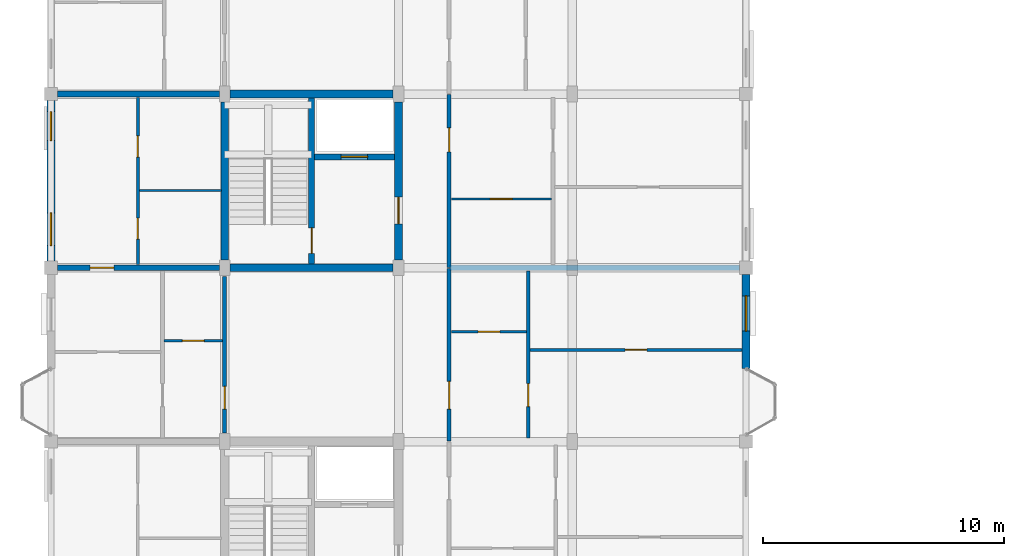
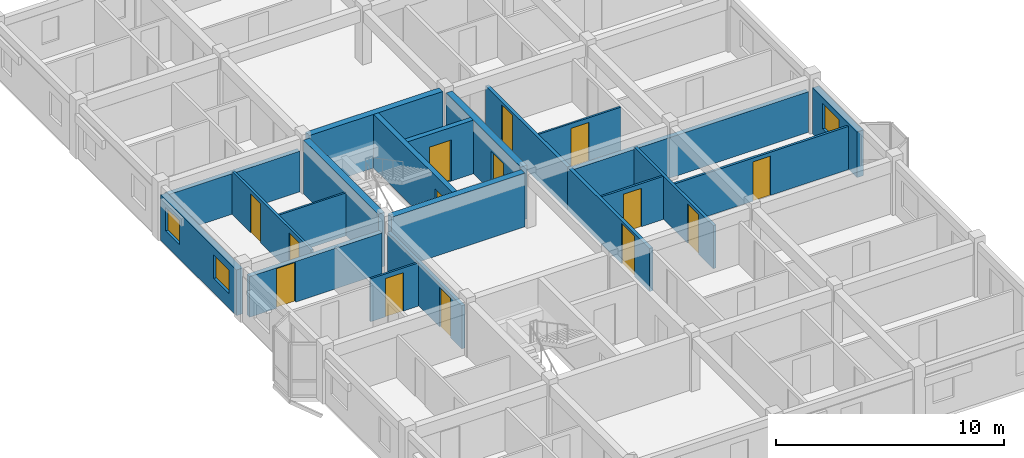
# One storey, part 52 of 77: 21 walls, 14 doors, 3 windows, 17 openings.
"""IFC4 building model written with IfcOpenShell, lengths in metres."""

import ifcopenshell
import ifcopenshell.guid

model = None  # the IFC model being written
_history = None  # IfcOwnerHistory: only IFC2X3 demands one
_inside = {}  # id of a spatial element -> (the spatial element, [elements in it])
_under = {}  # id of a project, library or spatial element -> (it, [spatial elements below it])
_declared = {}  # id of a project -> (the project, [libraries it declares])
_typed = {}  # id of a type object -> (the type object, [elements of that type])
_made_of = {}  # id of a material, layer set ... -> (it, [elements and type objects made of it])


def new_model(schema):
    """Start an empty IFC model of exactly this schema.

    Asked for "IFC4X3", IfcOpenShell would pick the latest addendum, in which some entities
    have other attributes; the version numbers below select the first issue.
    IFC2X3 requires an IfcOwnerHistory on every rooted entity: one is made here for all.
    """
    global model, _history
    if schema == "IFC4X3":
        model = ifcopenshell.file(schema_version=(4, 3, 0, 0))
    else:
        model = ifcopenshell.file(schema=schema)
    _inside.clear()
    _under.clear()
    _declared.clear()
    _typed.clear()
    _made_of.clear()
    _history = None
    if model.schema == "IFC2X3":
        org = make("IfcOrganization", Name="unknown")
        user = make(
            "IfcPersonAndOrganization",
            ThePerson=make("IfcPerson", FamilyName="unknown"),
            TheOrganization=org,
        )
        app = make(
            "IfcApplication",
            ApplicationDeveloper=org,
            Version="unknown",
            ApplicationFullName="unknown",
            ApplicationIdentifier="unknown",
        )
        _history = make(
            "IfcOwnerHistory",
            OwningUser=user,
            OwningApplication=app,
            ChangeAction="ADDED",
            CreationDate=0,
        )
    return model


def make(cls, **values):
    """One entity of the class cls with the attributes given. An attribute that is None is left unset."""
    return model.create_entity(
        cls, **{name: value for name, value in values.items() if value is not None}
    )


def rooted(cls, **values):
    """An entity with a GlobalId (a new one), such as an element, a storey or a relation."""
    return make(cls, GlobalId=ifcopenshell.guid.new(), OwnerHistory=_history, **values)


def si_unit(unit_type, name, prefix=None):
    """IfcSIUnit, for example si_unit("LENGTHUNIT", "METRE", prefix="MILLI")."""
    return make("IfcSIUnit", UnitType=unit_type, Prefix=prefix, Name=name)


def assignment(units):
    """IfcUnitAssignment: the units of a project."""
    return None if units is None else make("IfcUnitAssignment", Units=units)


def point(xyz):
    """IfcCartesianPoint."""
    return None if xyz is None else make("IfcCartesianPoint", Coordinates=xyz)


def direction(xyz):
    """IfcDirection."""
    return None if xyz is None else make("IfcDirection", DirectionRatios=xyz)


def frame(location, z_axis=None, x_axis=None):
    """IfcAxis2Placement3D, a coordinate frame: its origin and axes. An axis left out is left unset."""
    return make(
        "IfcAxis2Placement3D",
        Location=point(location),
        Axis=direction(z_axis),
        RefDirection=direction(x_axis),
    )


def frame_2d(location, x_axis=None):
    """IfcAxis2Placement2D, a coordinate frame in the plane: its origin and x axis."""
    return make(
        "IfcAxis2Placement2D", Location=point(location), RefDirection=direction(x_axis)
    )


def origin():
    """The frame at (0, 0, 0) with its axes left unset."""
    return frame((0.0, 0.0, 0.0))


def place(relative_to, where):
    """IfcLocalPlacement: puts the frame where relative to a parent placement (None: the world)."""
    return make(
        "IfcLocalPlacement", PlacementRelTo=relative_to, RelativePlacement=where
    )


def context(
    kind, dimensions, precision=None, world=None, true_north=None, identifier=None
):
    """IfcGeometricRepresentationContext, for example the 3D "Model" context."""
    return make(
        "IfcGeometricRepresentationContext",
        ContextIdentifier=identifier,
        ContextType=kind,
        CoordinateSpaceDimension=dimensions,
        Precision=precision,
        WorldCoordinateSystem=world,
        TrueNorth=true_north,
    )


def subcontext(parent, identifier, kind, view, scale=None):
    """IfcGeometricRepresentationSubContext, for example "Body" below "Model"."""
    return make(
        "IfcGeometricRepresentationSubContext",
        ContextIdentifier=identifier,
        ContextType=kind,
        ParentContext=parent,
        TargetScale=scale,
        TargetView=view,
    )


def project(units=None, contexts=None):
    """IfcProject with its units and contexts."""
    return rooted(
        "IfcProject",
        Name="project",
        RepresentationContexts=contexts,
        UnitsInContext=assignment(units),
    )


def spatial(cls, under=None, at=None, **own):
    """A site, building, storey or space (cls), placed at a placement, below another one or the project."""
    s = rooted(cls, ObjectPlacement=at, **own)
    if under is not None:
        _under.setdefault(under.id(), (under, []))[1].append(s)
    return s


def profile(cls, at=None, kind="AREA", **sizes):
    """A parametric profile (cls). Its sizes go by their IFC names, for example OverallWidth=200.0."""
    return make(cls, ProfileType=kind, Position=at, **sizes)


def rectangle(**sizes):
    """IfcRectangleProfileDef."""
    return profile("IfcRectangleProfileDef", **sizes)


def extrude(swept, where, along, depth):
    """IfcExtrudedAreaSolid: the profile swept, set in the frame where, extruded along a direction by depth."""
    return make(
        "IfcExtrudedAreaSolid",
        SweptArea=swept,
        Position=where,
        ExtrudedDirection=direction(along),
        Depth=depth,
    )


def shape(context_of_items, identifier, shape_type, items):
    """IfcShapeRepresentation: the items that make up one representation, for example the "Body"."""
    return make(
        "IfcShapeRepresentation",
        ContextOfItems=context_of_items,
        RepresentationIdentifier=identifier,
        RepresentationType=shape_type,
        Items=items,
    )


def material(Name=None, Category=None):
    """IfcMaterial."""
    return make("IfcMaterial", Name=Name, Category=Category)


def layer(
    of_material, thickness, ventilated=None, Name=None, Category=None, Priority=None
):
    """IfcMaterialLayer: one layer of a wall or slab, of a material (None: an air gap)."""
    return make(
        "IfcMaterialLayer",
        Material=of_material,
        LayerThickness=thickness,
        IsVentilated=ventilated,
        Name=Name,
        Category=Category,
        Priority=Priority,
    )


def layer_set(layers, Name=None):
    """IfcMaterialLayerSet."""
    return make("IfcMaterialLayerSet", MaterialLayers=layers, LayerSetName=Name)


def made_of(thing, what):
    """Note that an element or type object is made of a material, layer set ...; save() writes the relation."""
    if what is not None:
        _made_of.setdefault(what.id(), (what, []))[1].append(thing)
    return thing


def type_object(cls, material=None, **own):
    """A type object (cls), such as IfcWallType, which elements share."""
    return made_of(rooted(cls, **own), material)


def element(
    cls,
    number,
    at=None,
    inside=None,
    cuts=None,
    type_object=None,
    material=None,
    context=None,
    identifier="Body",
    shape_type=None,
    held_by="IfcProductDefinitionShape",
    body=None,
    shapes=None,
    **own,
):
    """One element of the class cls, such as IfcWall. Its Tag is "e" and its number.

    at: its placement. inside: the storey or other place that contains it. cuts: it is an
    opening in that element (IfcRelVoidsElement). A single representation is given by context,
    identifier, shape_type and body (its items); several are given by shapes. held_by: the class
    of the entity that holds the representations. save() writes the other relations.
    """
    e = rooted(cls, Tag="e%d" % number, ObjectPlacement=at, **own)
    if body is not None:
        shapes = [shape(context, identifier, shape_type, body)]
    if shapes is not None:
        e.Representation = make(held_by, Representations=shapes)
    if inside is not None:
        _inside.setdefault(inside.id(), (inside, []))[1].append(e)
    if cuts is not None:
        rooted(
            "IfcRelVoidsElement", RelatingBuildingElement=cuts, RelatedOpeningElement=e
        )
    if type_object is not None:
        _typed.setdefault(type_object.id(), (type_object, []))[1].append(e)
    return made_of(e, material)


def fill(opening, filler):
    """IfcRelFillsElement: the door or window that sits in an opening."""
    return rooted(
        "IfcRelFillsElement",
        RelatingOpeningElement=opening,
        RelatedBuildingElement=filler,
    )


def aggregate(whole, parts):
    """IfcRelAggregates: a whole, such as a stair, and the parts it consists of."""
    return rooted("IfcRelAggregates", RelatingObject=whole, RelatedObjects=parts)


def save(model, path):
    """Write the relations noted so far, then the file.

    IfcRelAggregates (storeys below a building ...), IfcRelContainedInSpatialStructure (elements
    in a storey), IfcRelDefinesByType, IfcRelAssociatesMaterial and IfcRelDeclares: one each for
    every whole, place, type object, material and project.
    """
    for whole, parts in _under.values():
        aggregate(whole, parts)
    for where, things in _inside.values():
        rooted(
            "IfcRelContainedInSpatialStructure",
            RelatedElements=things,
            RelatingStructure=where,
        )
    for kind, things in _typed.values():
        rooted("IfcRelDefinesByType", RelatedObjects=things, RelatingType=kind)
    for what, things in _made_of.values():
        rooted("IfcRelAssociatesMaterial", RelatedObjects=things, RelatingMaterial=what)
    for by, libraries in _declared.values():
        rooted("IfcRelDeclares", RelatingContext=by, RelatedDefinitions=libraries)
    model.write(path)


model = new_model("IFC4")

# Units and contexts
model_context = context("Model", 3, precision=1e-05, world=origin(), true_north=direction((0.0, 1.0)))
body_context = subcontext(model_context, "Body", "Model", "MODEL_VIEW")
ifc_project = project(units=[si_unit("LENGTHUNIT", "METRE"), si_unit("AREAUNIT", "SQUARE_METRE"), si_unit("VOLUMEUNIT", "CUBIC_METRE"), si_unit("PLANEANGLEUNIT", "RADIAN"), si_unit("MASSUNIT", "GRAM", prefix="KILO"), si_unit("THERMODYNAMICTEMPERATUREUNIT", "KELVIN"), si_unit("POWERUNIT", "WATT")], contexts=[model_context])

# Site, building, storey
site_placement = place(None, origin())
site = spatial("IfcSite", under=ifc_project, at=site_placement, CompositionType="ELEMENT")
building_placement = place(site_placement, origin())
building = spatial("IfcBuilding", under=site, at=building_placement, Name="Tavuni Mirador Residences", CompositionType="ELEMENT")
storey_placement = place(building_placement, frame((0.0, 0.0, 17.10009765625)))
storey = spatial("IfcBuildingStorey", under=building, at=storey_placement, Name="L05", CompositionType="ELEMENT", Elevation=17.10009765625)

# Wall, opening, door
ifc_material_1 = material(Name="Precast concrete C40/50", Category="concrete")
ifc_layer_1 = layer(ifc_material_1, 0.25, Name="Precast concrete C40/50", Category="concrete")
ifc_layer_set_1 = layer_set([ifc_layer_1], Name="Precast concrete C40/50")
wall_type_1 = type_object("IfcWallType", Name="WT-COR250", PredefinedType="SHEAR", material=ifc_layer_set_1)
wall_1_placement = place(storey_placement, frame((14.39990234375, 28.9599609375, 0.0), z_axis=(0.0, 0.0, 1.0), x_axis=(0.0, 1.0, 0.0)))
wall_1 = element("IfcWall", 1, at=wall_1_placement, inside=storey, type_object=wall_type_1, Name="CWALL-C2-L05-MID", PredefinedType="SHEAR", context=body_context, shape_type="SweptSolid", body=[
    extrude(rectangle(XDim=6.880126953125, YDim=0.25, at=frame_2d((3.43994140625, 0.0))), origin(), (0.0, 0.0, 1.0), 2.869873046875),
])
opening_1_placement = place(wall_1_placement, frame((0.43994140625, 0.0, 0.0)))
opening_1 = element("IfcOpeningElement", 2, at=opening_1_placement, cuts=wall_1, Name="Opening D-01", PredefinedType="OPENING", context=body_context, shape_type="SweptSolid", body=[
    extrude(rectangle(XDim=1.050048828125, YDim=2.14990234375, at=frame_2d((0.52490234375, 1.074951171875))), frame((0.0, 0.135009765625, 0.0), z_axis=(0.0, -1.0, 0.0), x_axis=(1.0, 0.0, 0.0)), (0.0, 0.0, 1.0), 0.27001953125),
])
ifc_material_2 = material(Name="Solid core iroko timber", Category="wood")
door_type_1 = type_object("IfcDoorType", Name="DT-ST1050", OperationType="NOTDEFINED", PredefinedType="DOOR", material=ifc_material_2)
door_1_placement = place(opening_1_placement, origin())
door_1 = element("IfcDoor", 3, at=door_1_placement, inside=storey, type_object=door_type_1, Name="DR-2075", OperationType="SINGLE_SWING_LEFT", OverallHeight=2.14990234375, OverallWidth=1.050048828125, PredefinedType="DOOR", context=body_context, shape_type="SweptSolid", body=[
    extrude(rectangle(XDim=1.050048828125, YDim=2.14990234375, at=frame_2d((0.52490234375, 1.074951171875))), frame((0.0, 0.02490234375, 0.0), z_axis=(0.0, -1.0, 0.0), x_axis=(1.0, 0.0, 0.0)), (0.0, 0.0, 1.0), 0.050048828125),
])
fill(opening_1, door_1)

wall_2_placement = place(storey_placement, frame((14.52490234375, 33.39990234375, 0.0), z_axis=(0.0, 0.0, 1.0), x_axis=(1.0, 0.0, 0.0)))
wall_2 = element("IfcWall", 4, at=wall_2_placement, inside=storey, type_object=wall_type_1, Name="CWALL-C2-L05-SHF", PredefinedType="SHEAR", context=body_context, shape_type="SweptSolid", body=[
    extrude(rectangle(XDim=3.315185546875, YDim=0.25, at=frame_2d((1.65771484375, 0.0))), origin(), (0.0, 0.0, 1.0), 2.869873046875),
])
opening_2_placement = place(wall_2_placement, frame((1.10009765625, 0.0, 0.0)))
opening_2 = element("IfcOpeningElement", 5, at=opening_2_placement, cuts=wall_2, Name="Opening LD-01", PredefinedType="OPENING", context=body_context, shape_type="SweptSolid", body=[
    extrude(rectangle(XDim=1.10009765625, YDim=2.199951171875, at=frame_2d((0.550048828125, 1.10009765625))), frame((0.0, 0.135009765625, 0.0), z_axis=(0.0, -1.0, 0.0), x_axis=(1.0, 0.0, 0.0)), (0.0, 0.0, 1.0), 0.27001953125),
])
ifc_material_3 = material(Name="Structural steel S355", Category="steel")
door_type_2 = type_object("IfcDoorType", Name="DT-LD-FF", OperationType="SLIDING_TO_LEFT", PredefinedType="DOOR", material=ifc_material_3)
door_2_placement = place(opening_2_placement, origin())
door_2 = element("IfcDoor", 6, at=door_2_placement, inside=storey, type_object=door_type_2, Name="Lift landing door FL-A2 L05", OperationType="SLIDING_TO_LEFT", OverallHeight=2.199951171875, OverallWidth=1.10009765625, PredefinedType="DOOR", context=body_context, shape_type="SweptSolid", body=[
    extrude(rectangle(XDim=1.10009765625, YDim=2.199951171875, at=frame_2d((0.550048828125, 1.10009765625))), frame((0.0, 0.02490234375, 0.0), z_axis=(0.0, -1.0, 0.0), x_axis=(1.0, 0.0, 0.0)), (0.0, 0.0, 1.0), 0.050048828125),
])
fill(opening_2, door_2)

# Walls
ifc_layer_2 = layer(ifc_material_1, 0.320068359375, Name="Precast concrete C40/50", Category="concrete")
ifc_layer_set_2 = layer_set([ifc_layer_2], Name="Precast concrete C40/50")
wall_type_2 = type_object("IfcWallType", Name="WT-COR320", PredefinedType="SHEAR", material=ifc_layer_set_2)
wall_3_placement = place(storey_placement, frame((10.800048828125, 29.125, 0.0), z_axis=(0.0, 0.0, 1.0), x_axis=(0.0, 1.0, 0.0)))
element("IfcWall", 7, at=wall_3_placement, inside=storey, type_object=wall_type_2, Name="CWALL-C2-L05-W", PredefinedType="SHEAR", context=body_context, shape_type="SweptSolid", body=[
    extrude(rectangle(XDim=6.550048828125, YDim=0.320068359375, at=frame_2d((3.27490234375, 0.0))), origin(), (0.0, 0.0, 1.0), 2.869873046875),
])
wall_4_placement = place(storey_placement, frame((11.02490234375, 36.0, 0.0), z_axis=(0.0, 0.0, 1.0), x_axis=(1.0, 0.0, 0.0)))
element("IfcWall", 8, at=wall_4_placement, inside=storey, type_object=wall_type_2, Name="CWALL-C2-L05-N", PredefinedType="SHEAR", context=body_context, shape_type="SweptSolid", body=[
    extrude(rectangle(XDim=6.75, YDim=0.320068359375, at=frame_2d((3.375, 0.0))), origin(), (0.0, 0.0, 1.0), 2.869873046875),
])

# Wall, opening, door
wall_5_placement = place(storey_placement, frame((18.0, 29.125, 0.0), z_axis=(0.0, 0.0, 1.0), x_axis=(0.0, 1.0, 0.0)))
wall_5 = element("IfcWall", 9, at=wall_5_placement, inside=storey, type_object=wall_type_2, Name="CWALL-C2-L05-E", PredefinedType="SHEAR", context=body_context, shape_type="SweptSolid", body=[
    extrude(rectangle(XDim=6.550048828125, YDim=0.320068359375, at=frame_2d((3.27490234375, 0.0))), origin(), (0.0, 0.0, 1.0), 2.869873046875),
])
opening_3_placement = place(wall_5_placement, frame((1.5, 0.0, 0.0)))
opening_3 = element("IfcOpeningElement", 10, at=opening_3_placement, cuts=wall_5, Name="Opening D-02", PredefinedType="OPENING", context=body_context, shape_type="SweptSolid", body=[
    extrude(rectangle(XDim=1.10009765625, YDim=2.14990234375, at=frame_2d((0.550048828125, 1.074951171875))), frame((0.0, 0.169921875, 0.0), z_axis=(0.0, -1.0, 0.0), x_axis=(1.0, 0.0, 0.0)), (0.0, 0.0, 1.0), 0.340087890625),
])
door_type_3 = type_object("IfcDoorType", Name="DT-LOB1100", OperationType="NOTDEFINED", PredefinedType="DOOR", material=ifc_material_2)
door_3_placement = place(opening_3_placement, frame((1.10009765625, 0.0, 0.0), z_axis=(0.0, 0.0, 1.0), x_axis=(-1.0, 0.0, 0.0)))
door_3 = element("IfcDoor", 11, at=door_3_placement, inside=storey, type_object=door_type_3, Name="DR-2074", OperationType="SINGLE_SWING_LEFT", OverallHeight=2.14990234375, OverallWidth=1.10009765625, PredefinedType="DOOR", context=body_context, shape_type="SweptSolid", body=[
    extrude(rectangle(XDim=1.10009765625, YDim=2.14990234375, at=frame_2d((0.550048828125, 1.074951171875))), frame((0.0, 0.02490234375, 0.0), z_axis=(0.0, -1.0, 0.0), x_axis=(1.0, 0.0, 0.0)), (0.0, 0.0, 1.0), 0.050048828125),
])
fill(opening_3, door_3)

# Wall
wall_6_placement = place(storey_placement, frame((11.02490234375, 28.800048828125, 0.0), z_axis=(0.0, 0.0, 1.0), x_axis=(1.0, 0.0, 0.0)))
element("IfcWall", 12, at=wall_6_placement, inside=storey, type_object=wall_type_2, Name="CWALL-C2-L05-SS", PredefinedType="SHEAR", context=body_context, shape_type="SweptSolid", body=[
    extrude(rectangle(XDim=6.75, YDim=0.320068359375, at=frame_2d((3.375, 0.0))), origin(), (0.0, 0.0, 1.0), 2.869873046875),
])

# Wall, opening, door
ifc_layer_3 = layer(ifc_material_1, 0.1650390625, Name="Precast concrete C40/50", Category="concrete")
ifc_layer_set_3 = layer_set([ifc_layer_3], Name="Precast concrete C40/50")
wall_type_3 = type_object("IfcWallType", Name="WT-CORR165", PredefinedType="PARTITIONING", material=ifc_layer_set_3)
wall_7_placement = place(storey_placement, frame((20.10009765625, 21.6201171875, 0.0), z_axis=(0.0, 0.0, 1.0), x_axis=(0.0, 1.0, 0.0)))
wall_7 = element("IfcWall", 13, at=wall_7_placement, inside=storey, type_object=wall_type_3, Name="CORW-BLK-A-L05-0-02", PredefinedType="PARTITIONING", context=body_context, shape_type="SweptSolid", body=[
    extrude(rectangle(XDim=7.159912109375, YDim=0.1650390625, at=frame_2d((3.580078125, 0.0))), origin(), (0.0, 0.0, 1.0), 2.304931640625),
])
opening_4_placement = place(wall_7_placement, frame((1.330078125, 0.0, 0.0)))
opening_4 = element("IfcOpeningElement", 14, at=opening_4_placement, cuts=wall_7, Name="Opening D-20", PredefinedType="OPENING", context=body_context, shape_type="SweptSolid", body=[
    extrude(rectangle(XDim=1.139892578125, YDim=2.179931640625, at=frame_2d((0.56982421875, 1.08984375))), frame((0.0, 0.092529296875, 0.0), z_axis=(0.0, -1.0, 0.0), x_axis=(1.0, 0.0, 0.0)), (0.0, 0.0, 1.0), 0.18505859375),
])
door_type_4 = type_object("IfcDoorType", Name="DT-FD60-1140", OperationType="NOTDEFINED", PredefinedType="DOOR", material=ifc_material_2)
door_4_placement = place(opening_4_placement, origin())
door_4 = element("IfcDoor", 15, at=door_4_placement, inside=storey, type_object=door_type_4, Name="DR-2435", OperationType="SINGLE_SWING_RIGHT", OverallHeight=2.179931640625, OverallWidth=1.139892578125, PredefinedType="DOOR", context=body_context, shape_type="SweptSolid", body=[
    extrude(rectangle(XDim=1.139892578125, YDim=2.179931640625, at=frame_2d((0.56982421875, 1.08984375))), frame((0.0, 0.02490234375, 0.0), z_axis=(0.0, -1.0, 0.0), x_axis=(1.0, 0.0, 0.0)), (0.0, 0.0, 1.0), 0.050048828125),
])
fill(opening_4, door_4)

wall_8_placement = place(storey_placement, frame((20.10009765625, 28.820068359375, 0.0), z_axis=(0.0, 0.0, 1.0), x_axis=(0.0, 1.0, 0.0)))
wall_8 = element("IfcWall", 16, at=wall_8_placement, inside=storey, type_object=wall_type_3, Name="CORW-BLK-A-L05-0-03", PredefinedType="PARTITIONING", context=body_context, shape_type="SweptSolid", body=[
    extrude(rectangle(XDim=7.159912109375, YDim=0.1650390625, at=frame_2d((3.580078125, 0.0))), origin(), (0.0, 0.0, 1.0), 2.304931640625),
])
opening_5_placement = place(wall_8_placement, frame((4.780029296875, 0.0, 0.0)))
opening_5 = element("IfcOpeningElement", 17, at=opening_5_placement, cuts=wall_8, Name="Opening D-03", PredefinedType="OPENING", context=body_context, shape_type="SweptSolid", body=[
    extrude(rectangle(XDim=1.0, YDim=2.14990234375, at=frame_2d((0.5, 1.074951171875))), frame((0.0, 0.092529296875, 0.0), z_axis=(0.0, -1.0, 0.0), x_axis=(1.0, 0.0, 0.0)), (0.0, 0.0, 1.0), 0.18505859375),
])
door_type_5 = type_object("IfcDoorType", Name="DT-FD60-1000", OperationType="NOTDEFINED", PredefinedType="DOOR", material=ifc_material_2)
door_5_placement = place(opening_5_placement, origin())
door_5 = element("IfcDoor", 18, at=door_5_placement, inside=storey, type_object=door_type_5, Name="DR-2436", OperationType="SINGLE_SWING_LEFT", OverallHeight=2.14990234375, OverallWidth=1.0, PredefinedType="DOOR", context=body_context, shape_type="SweptSolid", body=[
    extrude(rectangle(XDim=1.0, YDim=2.14990234375, at=frame_2d((0.5, 1.074951171875))), frame((0.0, 0.02490234375, 0.0), z_axis=(0.0, -1.0, 0.0), x_axis=(1.0, 0.0, 0.0)), (0.0, 0.0, 1.0), 0.050048828125),
])
fill(opening_5, door_5)

wall_9_placement = place(storey_placement, frame((10.800048828125, 21.949951171875, 0.0), z_axis=(0.0, 0.0, 1.0), x_axis=(0.0, 1.0, 0.0)))
wall_9 = element("IfcWall", 19, at=wall_9_placement, inside=storey, type_object=wall_type_3, Name="CORW-BLK-A-L05-1-02", PredefinedType="PARTITIONING", context=body_context, shape_type="SweptSolid", body=[
    extrude(rectangle(XDim=6.5, YDim=0.1650390625, at=frame_2d((3.25, 0.0))), origin(), (0.0, 0.0, 1.0), 2.304931640625),
])
opening_6_placement = place(wall_9_placement, frame((1.0, 0.0, 0.0)))
opening_6 = element("IfcOpeningElement", 20, at=opening_6_placement, cuts=wall_9, Name="Opening D-19", PredefinedType="OPENING", context=body_context, shape_type="SweptSolid", body=[
    extrude(rectangle(XDim=0.93994140625, YDim=2.1201171875, at=frame_2d((0.469970703125, 1.06005859375))), frame((0.0, 0.092529296875, 0.0), z_axis=(0.0, -1.0, 0.0), x_axis=(1.0, 0.0, 0.0)), (0.0, 0.0, 1.0), 0.18505859375),
])
door_type_6 = type_object("IfcDoorType", Name="DT-FD60-940", OperationType="NOTDEFINED", PredefinedType="DOOR", material=ifc_material_2)
door_6_placement = place(opening_6_placement, origin())
door_6 = element("IfcDoor", 21, at=door_6_placement, inside=storey, type_object=door_type_6, Name="DR-2440", OperationType="SINGLE_SWING_LEFT", OverallHeight=2.1201171875, OverallWidth=0.93994140625, PredefinedType="DOOR", context=body_context, shape_type="SweptSolid", body=[
    extrude(rectangle(XDim=0.93994140625, YDim=2.1201171875, at=frame_2d((0.469970703125, 1.06005859375))), frame((0.0, 0.02490234375, 0.0), z_axis=(0.0, -1.0, 0.0), x_axis=(1.0, 0.0, 0.0)), (0.0, 0.0, 1.0), 0.050048828125),
])
fill(opening_6, door_6)

# Wall, opening, window
ifc_layer_4 = layer(ifc_material_1, 0.330078125, Name="Precast concrete C40/50", Category="concrete")
ifc_layer_set_4 = layer_set([ifc_layer_4], Name="Precast concrete C40/50")
wall_type_4 = type_object("IfcWallType", Name="WT-EXT-COR330", PredefinedType="SOLIDWALL", material=ifc_layer_set_4)
wall_10_placement = place(storey_placement, frame((32.39990234375, 24.6201171875, 0.0), z_axis=(0.0, 0.0, 1.0), x_axis=(0.0, 1.0, 0.0)))
wall_10 = element("IfcWall", 22, at=wall_10_placement, inside=storey, type_object=wall_type_4, Name="EW-BLK-A-L05-E02", PredefinedType="SOLIDWALL", context=body_context, shape_type="SweptSolid", body=[
    extrude(rectangle(XDim=3.90478515625, YDim=0.330078125, at=frame_2d((1.952392578125, 0.0))), origin(), (0.0, 0.0, 1.0), 2.43994140625),
])
opening_7_placement = place(wall_10_placement, frame((1.5576171875, 0.0, 0.780029296875)))
opening_7 = element("IfcOpeningElement", 23, at=opening_7_placement, cuts=wall_10, Name="Opening WN-24", PredefinedType="OPENING", context=body_context, shape_type="SweptSolid", body=[
    extrude(rectangle(XDim=1.4599609375, YDim=1.360107421875, at=frame_2d((0.72998046875, 0.68017578125))), frame((0.0, 0.175048828125, 0.0), z_axis=(0.0, -1.0, 0.0), x_axis=(1.0, 0.0, 0.0)), (0.0, 0.0, 1.0), 0.35009765625),
])
ifc_material_4 = material(Name="Laminated solar-control glass", Category="glass")
window_type_1 = type_object("IfcWindowType", Name="WNT-24", PartitioningType="SINGLE_PANEL", PredefinedType="WINDOW", material=ifc_material_4)
window_1_placement = place(opening_7_placement, origin())
window_1 = element("IfcWindow", 24, at=window_1_placement, inside=storey, type_object=window_type_1, Name="WIN-0198", OverallHeight=1.360107421875, OverallWidth=1.4599609375, PartitioningType="SINGLE_PANEL", PredefinedType="WINDOW", context=body_context, shape_type="SweptSolid", body=[
    extrude(rectangle(XDim=1.4599609375, YDim=1.360107421875, at=frame_2d((0.72998046875, 0.68017578125))), frame((0.0, 0.030029296875, 0.0), z_axis=(0.0, -1.0, 0.0), x_axis=(1.0, 0.0, 0.0)), (0.0, 0.0, 1.0), 0.06005859375),
])
fill(opening_7, window_1)

# Wall, openings, windows
ifc_material_5 = material(Name="Sgraffito lime-rendered precast concrete C40/50", Category="concrete")
ifc_layer_5 = layer(ifc_material_5, 0.31494140625, Name="Sgraffito lime-rendered precast concrete C40/50", Category="concrete")
ifc_layer_set_5 = layer_set([ifc_layer_5], Name="Sgraffito lime-rendered precast concrete C40/50")
wall_type_5 = type_object("IfcWallType", Name="WT-EXT-PC315", PredefinedType="SOLIDWALL", material=ifc_layer_set_5)
wall_11_placement = place(storey_placement, frame((3.60009765625, 35.72509765625, 0.0), z_axis=(0.0, 0.0, 1.0), x_axis=(0.0, -1.0, 0.0)))
wall_11 = element("IfcWall", 25, at=wall_11_placement, inside=storey, type_object=wall_type_5, Name="EW-BLK-A-L05-W03", PredefinedType="SOLIDWALL", context=body_context, shape_type="SweptSolid", body=[
    extrude(rectangle(XDim=6.650146484375, YDim=0.31494140625, at=frame_2d((3.3251953125, 0.0))), origin(), (0.0, 0.0, 1.0), 2.43994140625),
])
opening_8_placement = place(wall_11_placement, frame((0.449951171875, 0.0, 0.780029296875)))
opening_8 = element("IfcOpeningElement", 26, at=opening_8_placement, cuts=wall_11, Name="Opening WN-13", PredefinedType="OPENING", context=body_context, shape_type="SweptSolid", body=[
    extrude(rectangle(XDim=1.199951171875, YDim=1.260009765625, at=frame_2d((0.60009765625, 0.6298828125))), frame((0.0, 0.16748046875, 0.0), z_axis=(0.0, -1.0, 0.0), x_axis=(1.0, 0.0, 0.0)), (0.0, 0.0, 1.0), 0.3349609375),
])
opening_9_placement = place(wall_11_placement, frame((4.64990234375, 0.0, 0.780029296875)))
opening_9 = element("IfcOpeningElement", 27, at=opening_9_placement, cuts=wall_11, Name="Opening WN-15", PredefinedType="OPENING", context=body_context, shape_type="SweptSolid", body=[
    extrude(rectangle(XDim=1.360107421875, YDim=1.260009765625, at=frame_2d((0.68017578125, 0.6298828125))), frame((0.0, 0.16748046875, 0.0), z_axis=(0.0, -1.0, 0.0), x_axis=(1.0, 0.0, 0.0)), (0.0, 0.0, 1.0), 0.3349609375),
])
window_type_2 = type_object("IfcWindowType", Name="WNT-13", PartitioningType="SINGLE_PANEL", PredefinedType="WINDOW", material=ifc_material_4)
window_2_placement = place(opening_8_placement, origin())
window_2 = element("IfcWindow", 28, at=window_2_placement, inside=storey, type_object=window_type_2, Name="WIN-0217", OverallHeight=1.260009765625, OverallWidth=1.199951171875, PartitioningType="SINGLE_PANEL", PredefinedType="WINDOW", context=body_context, shape_type="SweptSolid", body=[
    extrude(rectangle(XDim=1.199951171875, YDim=1.260009765625, at=frame_2d((0.60009765625, 0.6298828125))), frame((0.0, 0.030029296875, 0.0), z_axis=(0.0, -1.0, 0.0), x_axis=(1.0, 0.0, 0.0)), (0.0, 0.0, 1.0), 0.06005859375),
])
fill(opening_8, window_2)
window_type_3 = type_object("IfcWindowType", Name="WNT-15", PartitioningType="SINGLE_PANEL", PredefinedType="WINDOW", material=ifc_material_4)
window_3_placement = place(opening_9_placement, origin())
window_3 = element("IfcWindow", 29, at=window_3_placement, inside=storey, type_object=window_type_3, Name="WIN-0218", OverallHeight=1.260009765625, OverallWidth=1.360107421875, PartitioningType="SINGLE_PANEL", PredefinedType="WINDOW", context=body_context, shape_type="SweptSolid", body=[
    extrude(rectangle(XDim=1.360107421875, YDim=1.260009765625, at=frame_2d((0.68017578125, 0.6298828125))), frame((0.0, 0.030029296875, 0.0), z_axis=(0.0, -1.0, 0.0), x_axis=(1.0, 0.0, 0.0)), (0.0, 0.0, 1.0), 0.06005859375),
])
fill(opening_9, window_3)

# Wall, opening, door
ifc_material_6 = material(Name="Acoustic gypsum and concrete block partition", Category="concrete")
ifc_layer_6 = layer(ifc_material_6, 0.094970703125, Name="Acoustic gypsum and concrete block partition", Category="concrete")
ifc_layer_set_6 = layer_set([ifc_layer_6], Name="Acoustic gypsum and concrete block partition")
wall_type_6 = type_object("IfcWallType", Name="WT-PART095", PredefinedType="PARTITIONING", material=ifc_layer_set_6)
wall_12_placement = place(storey_placement, frame((8.2900390625, 25.780029296875, 0.0), z_axis=(0.0, 0.0, 1.0), x_axis=(1.0, 0.0, 0.0)))
wall_12 = element("IfcWall", 30, at=wall_12_placement, inside=storey, type_object=wall_type_6, Name="PW-BLK-A-L05-W02-IN1", PredefinedType="PARTITIONING", context=body_context, shape_type="SweptSolid", body=[
    extrude(rectangle(XDim=2.419921875, YDim=0.094970703125, at=frame_2d((1.2099609375, 0.0))), origin(), (0.0, 0.0, 1.0), 2.304931640625),
])
opening_10_placement = place(wall_12_placement, frame((0.760009765625, 0.0, 0.0)))
opening_10 = element("IfcOpeningElement", 31, at=opening_10_placement, cuts=wall_12, Name="Opening D-09", PredefinedType="OPENING", context=body_context, shape_type="SweptSolid", body=[
    extrude(rectangle(XDim=0.89990234375, YDim=2.050048828125, at=frame_2d((0.449951171875, 1.02490234375))), frame((0.0, 0.0576171875, 0.0), z_axis=(0.0, -1.0, 0.0), x_axis=(1.0, 0.0, 0.0)), (0.0, 0.0, 1.0), 0.114990234375),
])
door_type_7 = type_object("IfcDoorType", Name="DT-WC900", OperationType="NOTDEFINED", PredefinedType="DOOR", material=ifc_material_2)
door_7_placement = place(opening_10_placement, origin())
door_7 = element("IfcDoor", 32, at=door_7_placement, inside=storey, type_object=door_type_7, Name="DR-3111", OperationType="SINGLE_SWING_RIGHT", OverallHeight=2.050048828125, OverallWidth=0.89990234375, PredefinedType="DOOR", context=body_context, shape_type="SweptSolid", body=[
    extrude(rectangle(XDim=0.89990234375, YDim=2.050048828125, at=frame_2d((0.449951171875, 1.02490234375))), frame((0.0, 0.02490234375, 0.0), z_axis=(0.0, -1.0, 0.0), x_axis=(1.0, 0.0, 0.0)), (0.0, 0.0, 1.0), 0.050048828125),
])
fill(opening_10, door_7)

# Wall
wall_13_placement = place(storey_placement, frame((7.27001953125, 32.0, 0.0), z_axis=(0.0, 0.0, 1.0), x_axis=(1.0, 0.0, 0.0)))
element("IfcWall", 33, at=wall_13_placement, inside=storey, type_object=wall_type_6, Name="PW-BLK-A-L05-WC03-H", PredefinedType="PARTITIONING", context=body_context, shape_type="SweptSolid", body=[
    extrude(rectangle(XDim=3.389892578125, YDim=0.094970703125, at=frame_2d((1.69482421875, 0.0))), origin(), (0.0, 0.0, 1.0), 2.304931640625),
])

# Wall, opening, door
wall_14_placement = place(storey_placement, frame((20.18994140625, 31.64990234375, 0.0), z_axis=(0.0, 0.0, 1.0), x_axis=(1.0, 0.0, 0.0)))
wall_14 = element("IfcWall", 34, at=wall_14_placement, inside=storey, type_object=wall_type_6, Name="PW-BLK-A-L05-E03-IN1", PredefinedType="PARTITIONING", context=body_context, shape_type="SweptSolid", body=[
    extrude(rectangle(XDim=4.14013671875, YDim=0.094970703125, at=frame_2d((2.070068359375, 0.0))), origin(), (0.0, 0.0, 1.0), 2.304931640625),
])
opening_11_placement = place(wall_14_placement, frame((1.6201171875, 0.0, 0.0)))
opening_11 = element("IfcOpeningElement", 35, at=opening_11_placement, cuts=wall_14, Name="Opening D-09", PredefinedType="OPENING", context=body_context, shape_type="SweptSolid", body=[
    extrude(rectangle(XDim=0.89990234375, YDim=2.050048828125, at=frame_2d((0.449951171875, 1.02490234375))), frame((0.0, 0.0576171875, 0.0), z_axis=(0.0, -1.0, 0.0), x_axis=(1.0, 0.0, 0.0)), (0.0, 0.0, 1.0), 0.114990234375),
])
door_8_placement = place(opening_11_placement, origin())
door_8 = element("IfcDoor", 36, at=door_8_placement, inside=storey, type_object=door_type_7, Name="DR-3119", OperationType="SINGLE_SWING_RIGHT", OverallHeight=2.050048828125, OverallWidth=0.89990234375, PredefinedType="DOOR", context=body_context, shape_type="SweptSolid", body=[
    extrude(rectangle(XDim=0.89990234375, YDim=2.050048828125, at=frame_2d((0.449951171875, 1.02490234375))), frame((0.0, 0.02490234375, 0.0), z_axis=(0.0, -1.0, 0.0), x_axis=(1.0, 0.0, 0.0)), (0.0, 0.0, 1.0), 0.050048828125),
])
fill(opening_11, door_8)

ifc_layer_7 = layer(ifc_material_6, 0.10498046875, Name="Acoustic gypsum and concrete block partition", Category="concrete")
ifc_layer_set_7 = layer_set([ifc_layer_7], Name="Acoustic gypsum and concrete block partition")
wall_type_7 = type_object("IfcWallType", Name="WT-PART105", PredefinedType="PARTITIONING", material=ifc_layer_set_7)
wall_15_placement = place(storey_placement, frame((20.18994140625, 26.14990234375, 0.0), z_axis=(0.0, 0.0, 1.0), x_axis=(1.0, 0.0, 0.0)))
wall_15 = element("IfcWall", 37, at=wall_15_placement, inside=storey, type_object=wall_type_7, Name="PW-BLK-A-L05-E02-IN1", PredefinedType="PARTITIONING", context=body_context, shape_type="SweptSolid", body=[
    extrude(rectangle(XDim=3.1201171875, YDim=0.10498046875, at=frame_2d((1.56005859375, 0.0))), origin(), (0.0, 0.0, 1.0), 2.304931640625),
])
opening_12_placement = place(wall_15_placement, frame((1.110107421875, 0.0, 0.0)))
opening_12 = element("IfcOpeningElement", 38, at=opening_12_placement, cuts=wall_15, Name="Opening D-09", PredefinedType="OPENING", context=body_context, shape_type="SweptSolid", body=[
    extrude(rectangle(XDim=0.89990234375, YDim=2.050048828125, at=frame_2d((0.449951171875, 1.02490234375))), frame((0.0, 0.0625, 0.0), z_axis=(0.0, -1.0, 0.0), x_axis=(1.0, 0.0, 0.0)), (0.0, 0.0, 1.0), 0.125),
])
door_9_placement = place(opening_12_placement, origin())
door_9 = element("IfcDoor", 39, at=door_9_placement, inside=storey, type_object=door_type_7, Name="DR-3114", OperationType="SINGLE_SWING_RIGHT", OverallHeight=2.050048828125, OverallWidth=0.89990234375, PredefinedType="DOOR", context=body_context, shape_type="SweptSolid", body=[
    extrude(rectangle(XDim=0.89990234375, YDim=2.050048828125, at=frame_2d((0.449951171875, 1.02490234375))), frame((0.0, 0.02490234375, 0.0), z_axis=(0.0, -1.0, 0.0), x_axis=(1.0, 0.0, 0.0)), (0.0, 0.0, 1.0), 0.050048828125),
])
fill(opening_12, door_9)

ifc_layer_8 = layer(ifc_material_6, 0.114990234375, Name="Acoustic gypsum and concrete block partition", Category="concrete")
ifc_layer_set_8 = layer_set([ifc_layer_8], Name="Acoustic gypsum and concrete block partition")
wall_type_8 = type_object("IfcWallType", Name="WT-PART115", PredefinedType="PARTITIONING", material=ifc_layer_set_8)
wall_16_placement = place(storey_placement, frame((23.449951171875, 25.39990234375, 0.0), z_axis=(0.0, 0.0, 1.0), x_axis=(1.0, 0.0, 0.0)))
wall_16 = element("IfcWall", 40, at=wall_16_placement, inside=storey, type_object=wall_type_8, Name="PW-BLK-A-L05-E02-OUT", PredefinedType="PARTITIONING", context=body_context, shape_type="SweptSolid", body=[
    extrude(rectangle(XDim=8.775146484375, YDim=0.114990234375, at=frame_2d((4.3876953125, 0.0))), origin(), (0.0, 0.0, 1.0), 2.304931640625),
])
opening_13_placement = place(wall_16_placement, frame((3.9375, 0.0, 0.0)))
opening_13 = element("IfcOpeningElement", 41, at=opening_13_placement, cuts=wall_16, Name="Opening D-07", PredefinedType="OPENING", context=body_context, shape_type="SweptSolid", body=[
    extrude(rectangle(XDim=0.89990234375, YDim=2.10009765625, at=frame_2d((0.449951171875, 1.050048828125))), frame((0.0, 0.0673828125, 0.0), z_axis=(0.0, -1.0, 0.0), x_axis=(1.0, 0.0, 0.0)), (0.0, 0.0, 1.0), 0.135009765625),
])
door_type_8 = type_object("IfcDoorType", Name="DT-BED900", OperationType="NOTDEFINED", PredefinedType="DOOR", material=ifc_material_2)
door_10_placement = place(opening_13_placement, origin())
door_10 = element("IfcDoor", 42, at=door_10_placement, inside=storey, type_object=door_type_8, Name="DR-3113", OperationType="SINGLE_SWING_LEFT", OverallHeight=2.10009765625, OverallWidth=0.89990234375, PredefinedType="DOOR", context=body_context, shape_type="SweptSolid", body=[
    extrude(rectangle(XDim=0.89990234375, YDim=2.10009765625, at=frame_2d((0.449951171875, 1.050048828125))), frame((0.0, 0.02490234375, 0.0), z_axis=(0.0, -1.0, 0.0), x_axis=(1.0, 0.0, 0.0)), (0.0, 0.0, 1.0), 0.050048828125),
])
fill(opening_13, door_10)

# Wall, openings, doors
ifc_layer_9 = layer(ifc_material_6, 0.125, Name="Acoustic gypsum and concrete block partition", Category="concrete")
ifc_layer_set_9 = layer_set([ifc_layer_9], Name="Acoustic gypsum and concrete block partition")
wall_type_9 = type_object("IfcWallType", Name="WT-PART125", PredefinedType="PARTITIONING", material=ifc_layer_set_9)
wall_17_placement = place(storey_placement, frame((7.199951171875, 28.93994140625, 0.0), z_axis=(0.0, 0.0, 1.0), x_axis=(0.0, 1.0, 0.0)))
wall_17 = element("IfcWall", 43, at=wall_17_placement, inside=storey, type_object=wall_type_9, Name="PW-BLK-A-L05-WC03-M", PredefinedType="PARTITIONING", context=body_context, shape_type="SweptSolid", body=[
    extrude(rectangle(XDim=6.920166015625, YDim=0.125, at=frame_2d((3.4599609375, 0.0))), origin(), (0.0, 0.0, 1.0), 2.304931640625),
])
opening_14_placement = place(wall_17_placement, frame((1.050048828125, 0.0, 0.0)))
opening_14 = element("IfcOpeningElement", 44, at=opening_14_placement, cuts=wall_17, Name="Opening D-10", PredefinedType="OPENING", context=body_context, shape_type="SweptSolid", body=[
    extrude(rectangle(XDim=0.8701171875, YDim=2.050048828125, at=frame_2d((0.43505859375, 1.02490234375))), frame((0.0, 0.072509765625, 0.0), z_axis=(0.0, -1.0, 0.0), x_axis=(1.0, 0.0, 0.0)), (0.0, 0.0, 1.0), 0.14501953125),
])
opening_15_placement = place(wall_17_placement, frame((4.449951171875, 0.0, 0.0)))
opening_15 = element("IfcOpeningElement", 45, at=opening_15_placement, cuts=wall_17, Name="Opening D-08", PredefinedType="OPENING", context=body_context, shape_type="SweptSolid", body=[
    extrude(rectangle(XDim=0.8798828125, YDim=2.080078125, at=frame_2d((0.43994140625, 1.0400390625))), frame((0.0, 0.072509765625, 0.0), z_axis=(0.0, -1.0, 0.0), x_axis=(1.0, 0.0, 0.0)), (0.0, 0.0, 1.0), 0.14501953125),
])
door_type_9 = type_object("IfcDoorType", Name="DT-BED880", OperationType="NOTDEFINED", PredefinedType="DOOR", material=ifc_material_2)
door_11_placement = place(opening_15_placement, origin())
door_11 = element("IfcDoor", 46, at=door_11_placement, inside=storey, type_object=door_type_9, Name="DR-3117", OperationType="SINGLE_SWING_LEFT", OverallHeight=2.080078125, OverallWidth=0.8798828125, PredefinedType="DOOR", context=body_context, shape_type="SweptSolid", body=[
    extrude(rectangle(XDim=0.8798828125, YDim=2.080078125, at=frame_2d((0.43994140625, 1.0400390625))), frame((0.0, 0.02490234375, 0.0), z_axis=(0.0, -1.0, 0.0), x_axis=(1.0, 0.0, 0.0)), (0.0, 0.0, 1.0), 0.050048828125),
])
fill(opening_15, door_11)
door_type_10 = type_object("IfcDoorType", Name="DT-WC870", OperationType="NOTDEFINED", PredefinedType="DOOR", material=ifc_material_2)
door_12_placement = place(opening_14_placement, origin())
door_12 = element("IfcDoor", 47, at=door_12_placement, inside=storey, type_object=door_type_10, Name="DR-3116", OperationType="SINGLE_SWING_RIGHT", OverallHeight=2.050048828125, OverallWidth=0.8701171875, PredefinedType="DOOR", context=body_context, shape_type="SweptSolid", body=[
    extrude(rectangle(XDim=0.8701171875, YDim=2.050048828125, at=frame_2d((0.43505859375, 1.02490234375))), frame((0.0, 0.02490234375, 0.0), z_axis=(0.0, -1.0, 0.0), x_axis=(1.0, 0.0, 0.0)), (0.0, 0.0, 1.0), 0.050048828125),
])
fill(opening_14, door_12)

# Wall, opening, door
ifc_layer_10 = layer(ifc_material_6, 0.139892578125, Name="Acoustic gypsum and concrete block partition", Category="concrete")
ifc_layer_set_10 = layer_set([ifc_layer_10], Name="Acoustic gypsum and concrete block partition")
wall_type_10 = type_object("IfcWallType", Name="WT-PART140", PredefinedType="PARTITIONING", material=ifc_layer_set_10)
wall_18_placement = place(storey_placement, frame((23.3798828125, 21.739990234375, 0.0), z_axis=(0.0, 0.0, 1.0), x_axis=(0.0, 1.0, 0.0)))
wall_18 = element("IfcWall", 48, at=wall_18_placement, inside=storey, type_object=wall_type_10, Name="PW-BLK-A-L05-E02-MID", PredefinedType="PARTITIONING", context=body_context, shape_type="SweptSolid", body=[
    extrude(rectangle(XDim=6.919921875, YDim=0.139892578125, at=frame_2d((3.4599609375, 0.0))), origin(), (0.0, 0.0, 1.0), 2.304931640625),
])
opening_16_placement = place(wall_18_placement, frame((1.31005859375, 0.0, 0.0)))
opening_16 = element("IfcOpeningElement", 49, at=opening_16_placement, cuts=wall_18, Name="Opening D-05", PredefinedType="OPENING", context=body_context, shape_type="SweptSolid", body=[
    extrude(rectangle(XDim=0.949951171875, YDim=2.10009765625, at=frame_2d((0.47509765625, 1.050048828125))), frame((0.0, 0.080078125, 0.0), z_axis=(0.0, -1.0, 0.0), x_axis=(1.0, 0.0, 0.0)), (0.0, 0.0, 1.0), 0.159912109375),
])
door_type_11 = type_object("IfcDoorType", Name="DT-INT950", OperationType="NOTDEFINED", PredefinedType="DOOR", material=ifc_material_2)
door_13_placement = place(opening_16_placement, origin())
door_13 = element("IfcDoor", 50, at=door_13_placement, inside=storey, type_object=door_type_11, Name="DR-3115", OperationType="SINGLE_SWING_LEFT", OverallHeight=2.10009765625, OverallWidth=0.949951171875, PredefinedType="DOOR", context=body_context, shape_type="SweptSolid", body=[
    extrude(rectangle(XDim=0.949951171875, YDim=2.10009765625, at=frame_2d((0.47509765625, 1.050048828125))), frame((0.0, 0.02490234375, 0.0), z_axis=(0.0, -1.0, 0.0), x_axis=(1.0, 0.0, 0.0)), (0.0, 0.0, 1.0), 0.050048828125),
])
fill(opening_16, door_13)

ifc_layer_11 = layer(ifc_material_1, 0.235107421875, Name="Precast concrete C40/50", Category="concrete")
ifc_layer_set_11 = layer_set([ifc_layer_11], Name="Precast concrete C40/50")
wall_type_11 = type_object("IfcWallType", Name="WT-XW235", PredefinedType="SOLIDWALL", material=ifc_layer_set_11)
wall_19_placement = place(storey_placement, frame((3.875, 28.800048828125, 0.0), z_axis=(0.0, 0.0, 1.0), x_axis=(1.0, 0.0, 0.0)))
wall_19 = element("IfcWall", 51, at=wall_19_placement, inside=storey, type_object=wall_type_11, Name="XW-BLK-A-L05-W-03", PredefinedType="SOLIDWALL", context=body_context, shape_type="SweptSolid", body=[
    extrude(rectangle(XDim=6.699951171875, YDim=0.235107421875, at=frame_2d((3.35009765625, 0.0))), origin(), (0.0, 0.0, 1.0), 2.169921875),
])
opening_17_placement = place(wall_19_placement, frame((1.35009765625, 0.0, 0.0)))
opening_17 = element("IfcOpeningElement", 52, at=opening_17_placement, cuts=wall_19, Name="Opening D-04", PredefinedType="OPENING", context=body_context, shape_type="SweptSolid", body=[
    extrude(rectangle(XDim=0.97998046875, YDim=2.1201171875, at=frame_2d((0.489990234375, 1.06005859375))), frame((0.0, 0.12744140625, 0.0), z_axis=(0.0, -1.0, 0.0), x_axis=(1.0, 0.0, 0.0)), (0.0, 0.0, 1.0), 0.255126953125),
])
door_type_12 = type_object("IfcDoorType", Name="DT-FD60-980", OperationType="NOTDEFINED", PredefinedType="DOOR", material=ifc_material_2)
door_14_placement = place(opening_17_placement, origin())
door_14 = element("IfcDoor", 53, at=door_14_placement, inside=storey, type_object=door_type_12, Name="DR-4685", OperationType="SINGLE_SWING_RIGHT", OverallHeight=2.1201171875, OverallWidth=0.97998046875, PredefinedType="DOOR", context=body_context, shape_type="SweptSolid", body=[
    extrude(rectangle(XDim=0.97998046875, YDim=2.1201171875, at=frame_2d((0.489990234375, 1.06005859375))), frame((0.0, 0.02490234375, 0.0), z_axis=(0.0, -1.0, 0.0), x_axis=(1.0, 0.0, 0.0)), (0.0, 0.0, 1.0), 0.050048828125),
])
fill(opening_17, door_14)

# Walls
wall_20_placement = place(storey_placement, frame((20.10009765625, 28.800048828125, 0.0), z_axis=(0.0, 0.0, 1.0), x_axis=(1.0, 0.0, 0.0)))
element("IfcWall", 54, at=wall_20_placement, inside=storey, type_object=wall_type_11, Name="XW-BLK-A-L05-E-03", PredefinedType="SOLIDWALL", context=body_context, shape_type="SweptSolid", body=[
    extrude(rectangle(XDim=12.02490234375, YDim=0.235107421875, at=frame_2d((6.012451171875, 0.0))), origin(), (0.0, 0.0, 1.0), 2.169921875),
])
wall_21_placement = place(storey_placement, frame((3.875, 36.0, 0.0), z_axis=(0.0, 0.0, 1.0), x_axis=(1.0, 0.0, 0.0)))
element("IfcWall", 55, at=wall_21_placement, inside=storey, type_object=wall_type_11, Name="XW-BLK-A-L05-W-04", PredefinedType="SOLIDWALL", context=body_context, shape_type="SweptSolid", body=[
    extrude(rectangle(XDim=6.699951171875, YDim=0.235107421875, at=frame_2d((3.35009765625, 0.0))), origin(), (0.0, 0.0, 1.0), 2.169921875),
])

save(model, "model.ifc")
